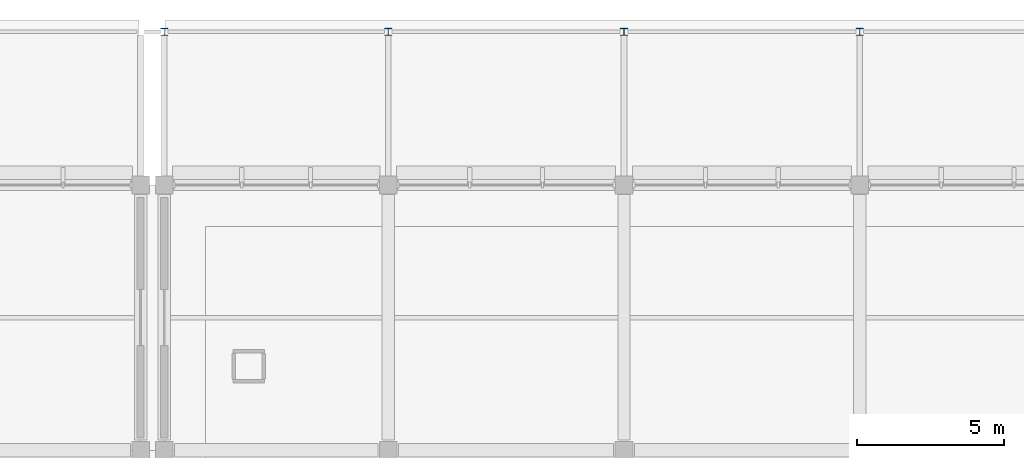
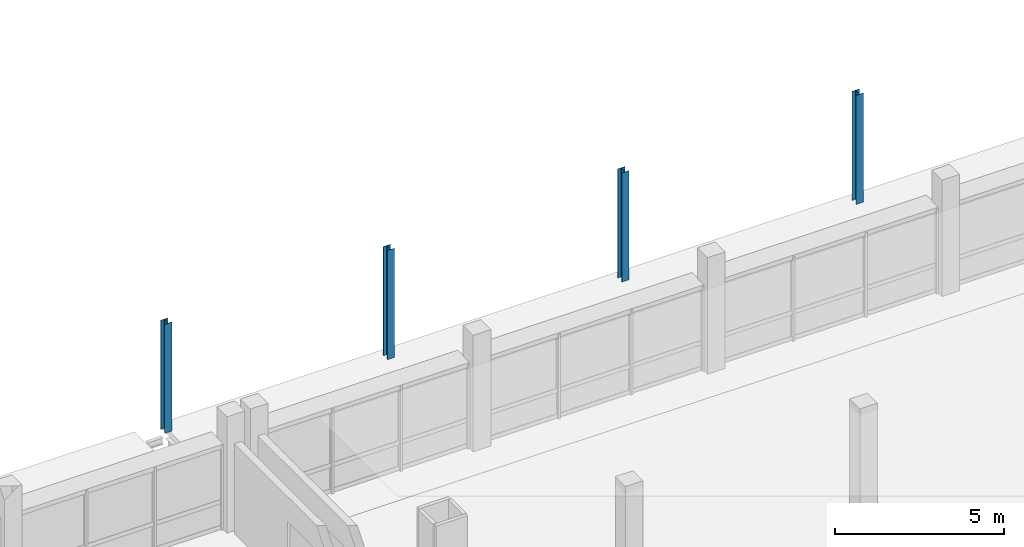
# One storey, part 3 of 57: 4 columns.
"""IFC4 building model written with IfcOpenShell, lengths in metres."""

import ifcopenshell
import ifcopenshell.guid

model = None  # the IFC model being written
_history = None  # IfcOwnerHistory: only IFC2X3 demands one
_inside = {}  # id of a spatial element -> (the spatial element, [elements in it])
_under = {}  # id of a project, library or spatial element -> (it, [spatial elements below it])
_declared = {}  # id of a project -> (the project, [libraries it declares])
_typed = {}  # id of a type object -> (the type object, [elements of that type])
_made_of = {}  # id of a material, layer set ... -> (it, [elements and type objects made of it])


def new_model(schema):
    """Start an empty IFC model of exactly this schema.

    Asked for "IFC4X3", IfcOpenShell would pick the latest addendum, in which some entities
    have other attributes; the version numbers below select the first issue.
    IFC2X3 requires an IfcOwnerHistory on every rooted entity: one is made here for all.
    """
    global model, _history
    if schema == "IFC4X3":
        model = ifcopenshell.file(schema_version=(4, 3, 0, 0))
    else:
        model = ifcopenshell.file(schema=schema)
    _inside.clear()
    _under.clear()
    _declared.clear()
    _typed.clear()
    _made_of.clear()
    _history = None
    if model.schema == "IFC2X3":
        org = make("IfcOrganization", Name="unknown")
        user = make(
            "IfcPersonAndOrganization",
            ThePerson=make("IfcPerson", FamilyName="unknown"),
            TheOrganization=org,
        )
        app = make(
            "IfcApplication",
            ApplicationDeveloper=org,
            Version="unknown",
            ApplicationFullName="unknown",
            ApplicationIdentifier="unknown",
        )
        _history = make(
            "IfcOwnerHistory",
            OwningUser=user,
            OwningApplication=app,
            ChangeAction="ADDED",
            CreationDate=0,
        )
    return model


def make(cls, **values):
    """One entity of the class cls with the attributes given. An attribute that is None is left unset."""
    return model.create_entity(
        cls, **{name: value for name, value in values.items() if value is not None}
    )


def rooted(cls, **values):
    """An entity with a GlobalId (a new one), such as an element, a storey or a relation."""
    return make(cls, GlobalId=ifcopenshell.guid.new(), OwnerHistory=_history, **values)


def si_unit(unit_type, name, prefix=None):
    """IfcSIUnit, for example si_unit("LENGTHUNIT", "METRE", prefix="MILLI")."""
    return make("IfcSIUnit", UnitType=unit_type, Prefix=prefix, Name=name)


def assignment(units):
    """IfcUnitAssignment: the units of a project."""
    return None if units is None else make("IfcUnitAssignment", Units=units)


def point(xyz):
    """IfcCartesianPoint."""
    return None if xyz is None else make("IfcCartesianPoint", Coordinates=xyz)


def direction(xyz):
    """IfcDirection."""
    return None if xyz is None else make("IfcDirection", DirectionRatios=xyz)


def frame(location, z_axis=None, x_axis=None):
    """IfcAxis2Placement3D, a coordinate frame: its origin and axes. An axis left out is left unset."""
    return make(
        "IfcAxis2Placement3D",
        Location=point(location),
        Axis=direction(z_axis),
        RefDirection=direction(x_axis),
    )


def frame_2d(location, x_axis=None):
    """IfcAxis2Placement2D, a coordinate frame in the plane: its origin and x axis."""
    return make(
        "IfcAxis2Placement2D", Location=point(location), RefDirection=direction(x_axis)
    )


def origin():
    """The frame at (0, 0, 0) with its axes left unset."""
    return frame((0.0, 0.0, 0.0))


def origin_2d():
    """The frame at (0, 0) in the plane with its x axis left unset."""
    return frame_2d((0.0, 0.0))


def place(relative_to, where):
    """IfcLocalPlacement: puts the frame where relative to a parent placement (None: the world)."""
    return make(
        "IfcLocalPlacement", PlacementRelTo=relative_to, RelativePlacement=where
    )


def context(
    kind, dimensions, precision=None, world=None, true_north=None, identifier=None
):
    """IfcGeometricRepresentationContext, for example the 3D "Model" context."""
    return make(
        "IfcGeometricRepresentationContext",
        ContextIdentifier=identifier,
        ContextType=kind,
        CoordinateSpaceDimension=dimensions,
        Precision=precision,
        WorldCoordinateSystem=world,
        TrueNorth=true_north,
    )


def subcontext(parent, identifier, kind, view, scale=None):
    """IfcGeometricRepresentationSubContext, for example "Body" below "Model"."""
    return make(
        "IfcGeometricRepresentationSubContext",
        ContextIdentifier=identifier,
        ContextType=kind,
        ParentContext=parent,
        TargetScale=scale,
        TargetView=view,
    )


def project(units=None, contexts=None):
    """IfcProject with its units and contexts."""
    return rooted(
        "IfcProject",
        Name="project",
        RepresentationContexts=contexts,
        UnitsInContext=assignment(units),
    )


def spatial(cls, under=None, at=None, **own):
    """A site, building, storey or space (cls), placed at a placement, below another one or the project."""
    s = rooted(cls, ObjectPlacement=at, **own)
    if under is not None:
        _under.setdefault(under.id(), (under, []))[1].append(s)
    return s


def profile(cls, at=None, kind="AREA", **sizes):
    """A parametric profile (cls). Its sizes go by their IFC names, for example OverallWidth=200.0."""
    return make(cls, ProfileType=kind, Position=at, **sizes)


def i_section(**sizes):
    """IfcIShapeProfileDef."""
    return profile("IfcIShapeProfileDef", **sizes)


def extrude(swept, where, along, depth):
    """IfcExtrudedAreaSolid: the profile swept, set in the frame where, extruded along a direction by depth."""
    return make(
        "IfcExtrudedAreaSolid",
        SweptArea=swept,
        Position=where,
        ExtrudedDirection=direction(along),
        Depth=depth,
    )


def shape(context_of_items, identifier, shape_type, items):
    """IfcShapeRepresentation: the items that make up one representation, for example the "Body"."""
    return make(
        "IfcShapeRepresentation",
        ContextOfItems=context_of_items,
        RepresentationIdentifier=identifier,
        RepresentationType=shape_type,
        Items=items,
    )


def material(Name=None, Category=None):
    """IfcMaterial."""
    return make("IfcMaterial", Name=Name, Category=Category)


def material_profile(
    of_material, cross_section, Name=None, Category=None, Priority=None
):
    """IfcMaterialProfile: a cross section and its material."""
    return make(
        "IfcMaterialProfile",
        Name=Name,
        Material=of_material,
        Profile=cross_section,
        Priority=Priority,
        Category=Category,
    )


def profile_set(profiles, Name=None, composite=None):
    """IfcMaterialProfileSet."""
    return make(
        "IfcMaterialProfileSet",
        Name=Name,
        MaterialProfiles=profiles,
        CompositeProfile=composite,
    )


def made_of(thing, what):
    """Note that an element or type object is made of a material, layer set ...; save() writes the relation."""
    if what is not None:
        _made_of.setdefault(what.id(), (what, []))[1].append(thing)
    return thing


def type_object(cls, material=None, **own):
    """A type object (cls), such as IfcWallType, which elements share."""
    return made_of(rooted(cls, **own), material)


def element(
    cls,
    number,
    at=None,
    inside=None,
    cuts=None,
    type_object=None,
    material=None,
    context=None,
    identifier="Body",
    shape_type=None,
    held_by="IfcProductDefinitionShape",
    body=None,
    shapes=None,
    **own,
):
    """One element of the class cls, such as IfcWall. Its Tag is "e" and its number.

    at: its placement. inside: the storey or other place that contains it. cuts: it is an
    opening in that element (IfcRelVoidsElement). A single representation is given by context,
    identifier, shape_type and body (its items); several are given by shapes. held_by: the class
    of the entity that holds the representations. save() writes the other relations.
    """
    e = rooted(cls, Tag="e%d" % number, ObjectPlacement=at, **own)
    if body is not None:
        shapes = [shape(context, identifier, shape_type, body)]
    if shapes is not None:
        e.Representation = make(held_by, Representations=shapes)
    if inside is not None:
        _inside.setdefault(inside.id(), (inside, []))[1].append(e)
    if cuts is not None:
        rooted(
            "IfcRelVoidsElement", RelatingBuildingElement=cuts, RelatedOpeningElement=e
        )
    if type_object is not None:
        _typed.setdefault(type_object.id(), (type_object, []))[1].append(e)
    return made_of(e, material)


def aggregate(whole, parts):
    """IfcRelAggregates: a whole, such as a stair, and the parts it consists of."""
    return rooted("IfcRelAggregates", RelatingObject=whole, RelatedObjects=parts)


def save(model, path):
    """Write the relations noted so far, then the file.

    IfcRelAggregates (storeys below a building ...), IfcRelContainedInSpatialStructure (elements
    in a storey), IfcRelDefinesByType, IfcRelAssociatesMaterial and IfcRelDeclares: one each for
    every whole, place, type object, material and project.
    """
    for whole, parts in _under.values():
        aggregate(whole, parts)
    for where, things in _inside.values():
        rooted(
            "IfcRelContainedInSpatialStructure",
            RelatedElements=things,
            RelatingStructure=where,
        )
    for kind, things in _typed.values():
        rooted("IfcRelDefinesByType", RelatedObjects=things, RelatingType=kind)
    for what, things in _made_of.values():
        rooted("IfcRelAssociatesMaterial", RelatedObjects=things, RelatingMaterial=what)
    for by, libraries in _declared.values():
        rooted("IfcRelDeclares", RelatingContext=by, RelatedDefinitions=libraries)
    model.write(path)


model = new_model("IFC4")

# Units and contexts
model_context = context("Model", 3, precision=1e-05, world=origin(), true_north=direction((0.0, 1.0)))
body_context = subcontext(model_context, "Body", "Model", "MODEL_VIEW")
ifc_project = project(units=[si_unit("LENGTHUNIT", "METRE"), si_unit("AREAUNIT", "SQUARE_METRE"), si_unit("VOLUMEUNIT", "CUBIC_METRE"), si_unit("PLANEANGLEUNIT", "RADIAN"), si_unit("MASSUNIT", "GRAM", prefix="KILO"), si_unit("THERMODYNAMICTEMPERATUREUNIT", "KELVIN"), si_unit("POWERUNIT", "WATT")], contexts=[model_context])

# Site, building, storey
site_placement = place(None, origin())
site = spatial("IfcSite", under=ifc_project, at=site_placement, CompositionType="ELEMENT")
building_placement = place(site_placement, origin())
building = spatial("IfcBuilding", under=site, at=building_placement, Name="Kronsvod Quay Wholesale Market", CompositionType="ELEMENT")
storey_placement = place(building_placement, frame((0.0, 0.0, 4.800048828125)))
storey = spatial("IfcBuildingStorey", under=building, at=storey_placement, Name="L01", CompositionType="ELEMENT", Elevation=4.800048828125)

# Columns
ifc_material = material(Name="Steel S355", Category="steel")
ifc_material_profile = material_profile(ifc_material, i_section(OverallWidth=0.2490234375, OverallDepth=0.24609375, WebThickness=0.008056640625, FlangeThickness=0.011962890625, FilletRadius=0.014892578125, at=origin_2d()), Name="25K1")
ifc_profile_set = profile_set([ifc_material_profile], Name="Steel S355")
column_type = type_object("IfcColumnType", Name="Col_Steel25K1", PredefinedType="COLUMN", material=ifc_profile_set)
for number, where, z_axis, x_axis, name in (
    (1, (64.39990234375, 131.199951171875, 0.0), (0.0, 0.0, 1.0), (1.0, 0.0, 0.0), "SCOL-CAN-L01-06"),
    (2, (72.0, 131.199951171875, 0.0), (0.0, 0.0, 1.0), (1.0, 0.0, 0.0), "SCOL-CAN-L01-07"),
    (3, (80.0, 131.199951171875, 0.0), (0.0, 0.0, 1.0), (1.0, 0.0, 0.0), "SCOL-CAN-L01-08"),
    (4, (88.0, 131.199951171875, 0.0), (0.0, 0.0, 1.0), (1.0, 0.0, 0.0), "SCOL-CAN-L01-09"),
):
    element("IfcColumn", number, at=place(storey_placement, frame(where, z_axis=z_axis, x_axis=x_axis)), inside=storey, type_object=column_type, Name=name, PredefinedType="COLUMN", context=body_context, shape_type="SweptSolid", body=[
        extrude(i_section(OverallWidth=0.2490234375, OverallDepth=0.24609375, WebThickness=0.008056640625, FlangeThickness=0.011962890625, FilletRadius=0.014892578125, at=origin_2d()), origin(), (0.0, 0.0, 1.0), 3.93505859375),
    ])

save(model, "model.ifc")
